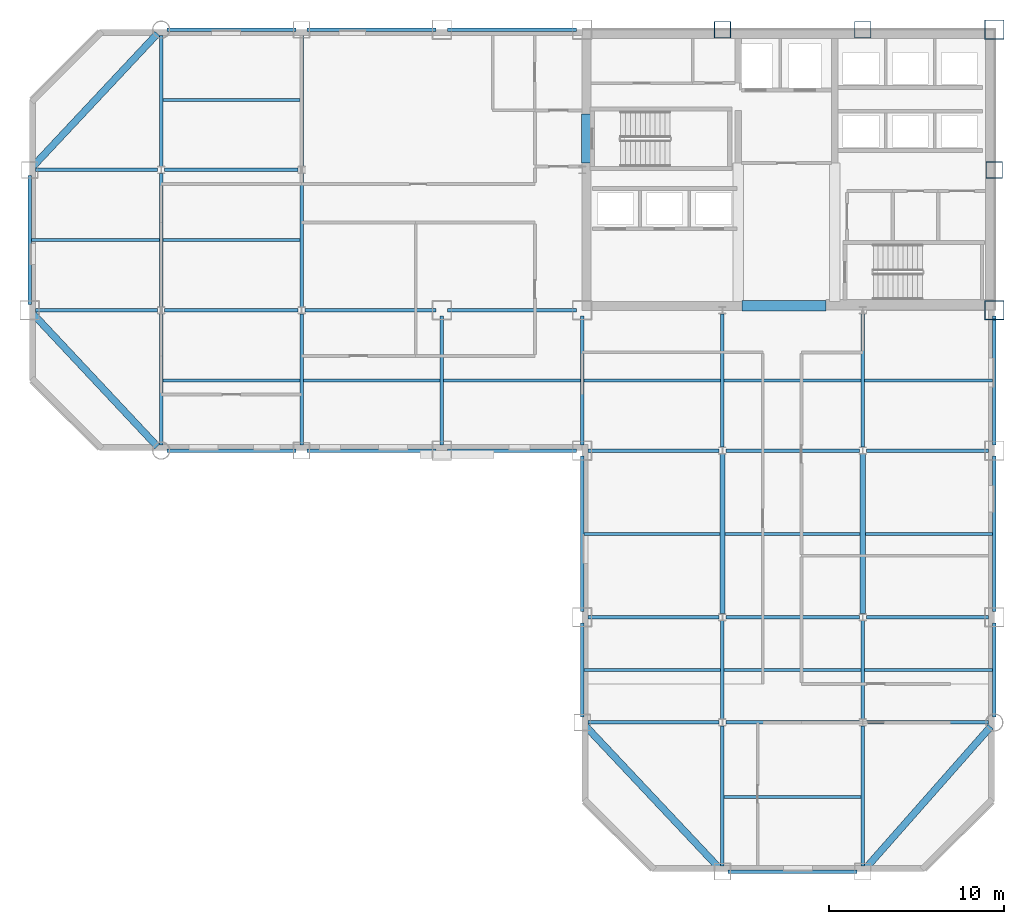
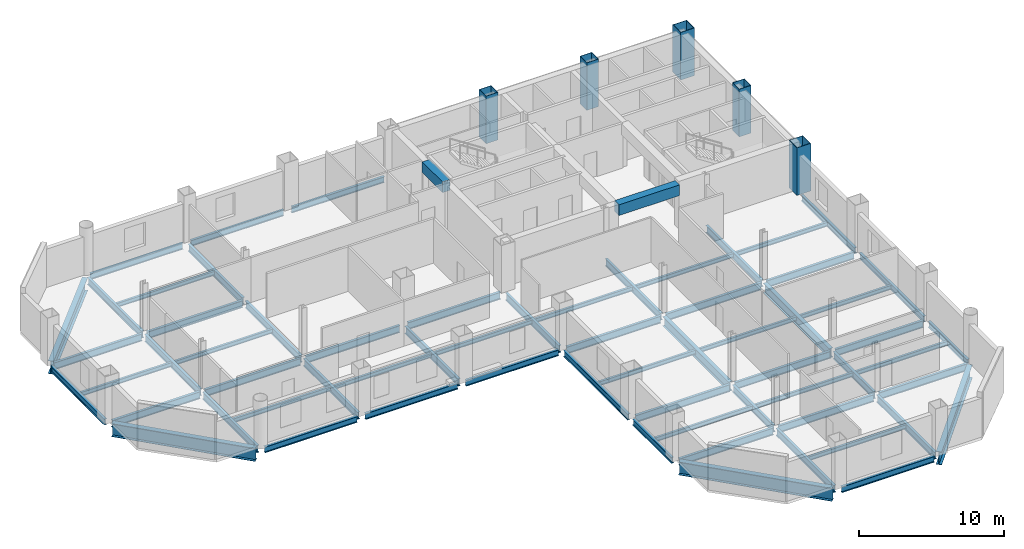
# One storey, part 4 of 9: 66 beams, 5 columns.
"""IFC4 building model written with IfcOpenShell, lengths in metres."""

from ifc_helpers import new_model, si_unit, direction, frame, origin, origin_2d, place, context, subcontext, project, spatial, rectangle, hollow_rectangle, i_section, extrude, material, material_profile, profile_set, type_object, element, save


model = new_model("IFC4")

# Units and contexts
model_context = context("Model", 3, precision=1e-05, world=origin(), true_north=direction((0.0, 1.0)))
body_context = subcontext(model_context, "Body", "Model", "MODEL_VIEW")
ifc_project = project(units=[si_unit("LENGTHUNIT", "METRE"), si_unit("AREAUNIT", "SQUARE_METRE"), si_unit("VOLUMEUNIT", "CUBIC_METRE"), si_unit("PLANEANGLEUNIT", "RADIAN"), si_unit("MASSUNIT", "GRAM", prefix="KILO")], contexts=[model_context])

# Site, building, storey
site_placement = place(None, origin())
site = spatial("IfcSite", under=ifc_project, at=site_placement, CompositionType="ELEMENT")
building_placement = place(site_placement, origin())
building = spatial("IfcBuilding", under=site, at=building_placement, Name="Qianrong Seaharbour Tower", CompositionType="ELEMENT")
storey_placement = place(building_placement, frame((0.0, 0.0, 143.0)))
storey = spatial("IfcBuildingStorey", under=building, at=storey_placement, Name="L34", CompositionType="ELEMENT", Elevation=143.0)

# Columns
ifc_material_1 = material(Name="Structural steel SN490B", Category="steel")
ifc_material_profile_1 = material_profile(ifc_material_1, hollow_rectangle(XDim=1.10009765625, YDim=1.10009765625, WallThickness=0.0400390625, at=origin_2d()), Name="BOX1100x1100x40")
ifc_profile_set_1 = profile_set([ifc_material_profile_1], Name="Structural steel SN490B")
column_type_1 = type_object("IfcColumnType", Name="COL-CFT-1100", PredefinedType="COLUMN", material=ifc_profile_set_1)
for number, where, z_axis, x_axis, name in (
    (1, (64.0, 36.0, 0.0), (0.0, 0.0, 1.0), (1.0, 0.0, 0.0), "L34 Column MC-3 at G9/GF"),
    (2, (64.0, 52.0, 0.0), (0.0, 0.0, 1.0), (1.0, 0.0, 0.0), "L34 Column MC-3 at G9/GH"),
):
    element("IfcColumn", number, at=place(storey_placement, frame(where, z_axis=z_axis, x_axis=x_axis)), inside=storey, type_object=column_type_1, Name=name, PredefinedType="COLUMN", context=body_context, shape_type="SweptSolid", body=[
        extrude(hollow_rectangle(XDim=1.10009765625, YDim=1.10009765625, WallThickness=0.0400390625, at=origin_2d()), origin(), (0.0, 0.0, 1.0), 4.0),
    ])
ifc_material_profile_2 = material_profile(ifc_material_1, hollow_rectangle(XDim=0.949951171875, YDim=0.949951171875, WallThickness=0.035888671875, at=origin_2d()), Name="BOX950x950x36")
ifc_profile_set_2 = profile_set([ifc_material_profile_2], Name="Structural steel SN490B")
column_type_2 = type_object("IfcColumnType", Name="COL-PER-950", PredefinedType="COLUMN", material=ifc_profile_set_2)
for number, where, z_axis, x_axis, name in (
    (3, (48.5, 52.0, 0.0), (0.0, 0.0, 1.0), (1.0, 0.0, 0.0), "L34 Column PC-2 at G7/GH"),
    (4, (56.5, 52.0, 0.0), (0.0, 0.0, 1.0), (1.0, 0.0, 0.0), "L34 Column PC-2 at G8/GH"),
    (5, (64.0, 44.0, 0.0), (0.0, 0.0, 1.0), (1.0, 0.0, 0.0), "L34 Column PC-2 at G9/GG"),
):
    element("IfcColumn", number, at=place(storey_placement, frame(where, z_axis=z_axis, x_axis=x_axis)), inside=storey, type_object=column_type_2, Name=name, PredefinedType="COLUMN", context=body_context, shape_type="SweptSolid", body=[
        extrude(hollow_rectangle(XDim=0.949951171875, YDim=0.949951171875, WallThickness=0.035888671875, at=origin_2d()), origin(), (0.0, 0.0, 1.0), 4.0),
    ])

# Beams
ifc_material_profile_3 = material_profile(ifc_material_1, i_section(OverallWidth=0.199951171875, OverallDepth=0.60009765625, WebThickness=0.010986328125, FlangeThickness=0.01708984375, FilletRadius=0.02197265625, at=origin_2d()), Name="H600x200x11x17")
ifc_profile_set_3 = profile_set([ifc_material_profile_3], Name="Structural steel SN490B")
beam_type_1 = type_object("IfcBeamType", Name="BM-G-600", PredefinedType="BEAM", material=ifc_profile_set_3)
beam_1_placement = place(storey_placement, frame((40.820068359375, 12.5, -0.534912109375), z_axis=(1.0, 0.0, 0.0), x_axis=(0.0, 1.0, 0.0)))
element("IfcBeam", 6, at=beam_1_placement, inside=storey, type_object=beam_type_1, Name="L34 Primary Girder GC G6-G7", PredefinedType="BEAM", context=body_context, shape_type="SweptSolid", body=[
    extrude(i_section(OverallWidth=0.199951171875, OverallDepth=0.60009765625, WebThickness=0.010986328125, FlangeThickness=0.01708984375, FilletRadius=0.02197265625, at=origin_2d()), origin(), (0.0, 0.0, 1.0), 7.47998046875),
])
beam_2_placement = place(storey_placement, frame((48.699951171875, 12.5, -0.534912109375), z_axis=(1.0, 0.0, 0.0), x_axis=(0.0, 1.0, 0.0)))
element("IfcBeam", 7, at=beam_2_placement, inside=storey, type_object=beam_type_1, Name="L34 Primary Girder GC G7-G8", PredefinedType="BEAM", context=body_context, shape_type="SweptSolid", body=[
    extrude(i_section(OverallWidth=0.199951171875, OverallDepth=0.60009765625, WebThickness=0.010986328125, FlangeThickness=0.01708984375, FilletRadius=0.02197265625, at=origin_2d()), origin(), (0.0, 0.0, 1.0), 7.60009765625),
])
beam_3_placement = place(storey_placement, frame((56.699951171875, 12.5, -0.534912109375), z_axis=(1.0, 0.0, 0.0), x_axis=(0.0, 1.0, 0.0)))
element("IfcBeam", 8, at=beam_3_placement, inside=storey, type_object=beam_type_1, Name="L34 Primary Girder GC G8-G9", PredefinedType="BEAM", context=body_context, shape_type="SweptSolid", body=[
    extrude(i_section(OverallWidth=0.199951171875, OverallDepth=0.60009765625, WebThickness=0.010986328125, FlangeThickness=0.01708984375, FilletRadius=0.02197265625, at=origin_2d()), origin(), (0.0, 0.0, 1.0), 6.97998046875),
])
beam_4_placement = place(storey_placement, frame((40.820068359375, 18.5, -0.534912109375), z_axis=(1.0, 0.0, 0.0), x_axis=(0.0, 1.0, 0.0)))
element("IfcBeam", 9, at=beam_4_placement, inside=storey, type_object=beam_type_1, Name="L34 Primary Girder GD G6-G7", PredefinedType="BEAM", context=body_context, shape_type="SweptSolid", body=[
    extrude(i_section(OverallWidth=0.199951171875, OverallDepth=0.60009765625, WebThickness=0.010986328125, FlangeThickness=0.01708984375, FilletRadius=0.02197265625, at=origin_2d()), origin(), (0.0, 0.0, 1.0), 7.47998046875),
])
beam_5_placement = place(storey_placement, frame((48.699951171875, 18.5, -0.534912109375), z_axis=(1.0, 0.0, 0.0), x_axis=(0.0, 1.0, 0.0)))
element("IfcBeam", 10, at=beam_5_placement, inside=storey, type_object=beam_type_1, Name="L34 Primary Girder GD G7-G8", PredefinedType="BEAM", context=body_context, shape_type="SweptSolid", body=[
    extrude(i_section(OverallWidth=0.199951171875, OverallDepth=0.60009765625, WebThickness=0.010986328125, FlangeThickness=0.01708984375, FilletRadius=0.02197265625, at=origin_2d()), origin(), (0.0, 0.0, 1.0), 7.60009765625),
])
beam_6_placement = place(storey_placement, frame((56.699951171875, 18.5, -0.534912109375), z_axis=(1.0, 0.0, 0.0), x_axis=(0.0, 1.0, 0.0)))
element("IfcBeam", 11, at=beam_6_placement, inside=storey, type_object=beam_type_1, Name="L34 Primary Girder GD G8-G9", PredefinedType="BEAM", context=body_context, shape_type="SweptSolid", body=[
    extrude(i_section(OverallWidth=0.199951171875, OverallDepth=0.60009765625, WebThickness=0.010986328125, FlangeThickness=0.01708984375, FilletRadius=0.02197265625, at=origin_2d()), origin(), (0.0, 0.0, 1.0), 6.97998046875),
])
beam_7_placement = place(storey_placement, frame((40.820068359375, 28.0, -0.534912109375), z_axis=(1.0, 0.0, 0.0), x_axis=(0.0, 1.0, 0.0)))
element("IfcBeam", 12, at=beam_7_placement, inside=storey, type_object=beam_type_1, Name="L34 Primary Girder GE G6-G7", PredefinedType="BEAM", context=body_context, shape_type="SweptSolid", body=[
    extrude(i_section(OverallWidth=0.199951171875, OverallDepth=0.60009765625, WebThickness=0.010986328125, FlangeThickness=0.01708984375, FilletRadius=0.02197265625, at=origin_2d()), origin(), (0.0, 0.0, 1.0), 7.47998046875),
])
beam_8_placement = place(storey_placement, frame((48.699951171875, 28.0, -0.534912109375), z_axis=(1.0, 0.0, 0.0), x_axis=(0.0, 1.0, 0.0)))
element("IfcBeam", 13, at=beam_8_placement, inside=storey, type_object=beam_type_1, Name="L34 Primary Girder GE G7-G8", PredefinedType="BEAM", context=body_context, shape_type="SweptSolid", body=[
    extrude(i_section(OverallWidth=0.199951171875, OverallDepth=0.60009765625, WebThickness=0.010986328125, FlangeThickness=0.01708984375, FilletRadius=0.02197265625, at=origin_2d()), origin(), (0.0, 0.0, 1.0), 7.60009765625),
])
for number, where, z_axis, x_axis, name in (
    (14, (56.699951171875, 28.0, -0.534912109375), (1.0, 0.0, 0.0), (0.0, 1.0, 0.0), "L34 Primary Girder GE G8-G9"),
    (15, (9.320068359375, 36.0, -0.534912109375), (1.0, 0.0, 0.0), (0.0, 1.0, 0.0), "L34 Primary Girder GF G2-G3"),
):
    element("IfcBeam", number, at=place(storey_placement, frame(where, z_axis=z_axis, x_axis=x_axis)), inside=storey, type_object=beam_type_1, Name=name, PredefinedType="BEAM", context=body_context, shape_type="SweptSolid", body=[
        extrude(i_section(OverallWidth=0.199951171875, OverallDepth=0.60009765625, WebThickness=0.010986328125, FlangeThickness=0.01708984375, FilletRadius=0.02197265625, at=origin_2d()), origin(), (0.0, 0.0, 1.0), 6.97998046875),
    ])
beam_9_placement = place(storey_placement, frame((16.699951171875, 36.0, -0.534912109375), z_axis=(1.0, 0.0, 0.0), x_axis=(0.0, 1.0, 0.0)))
element("IfcBeam", 16, at=beam_9_placement, inside=storey, type_object=beam_type_1, Name="L34 Primary Girder GF G3-G4", PredefinedType="BEAM", context=body_context, shape_type="SweptSolid", body=[
    extrude(i_section(OverallWidth=0.199951171875, OverallDepth=0.60009765625, WebThickness=0.010986328125, FlangeThickness=0.01708984375, FilletRadius=0.02197265625, at=origin_2d()), origin(), (0.0, 0.0, 1.0), 7.60009765625),
])
beam_10_placement = place(storey_placement, frame((24.699951171875, 36.0, -0.534912109375), z_axis=(1.0, 0.0, 0.0), x_axis=(0.0, 1.0, 0.0)))
element("IfcBeam", 17, at=beam_10_placement, inside=storey, type_object=beam_type_1, Name="L34 Primary Girder GF G4-G5", PredefinedType="BEAM", context=body_context, shape_type="SweptSolid", body=[
    extrude(i_section(OverallWidth=0.199951171875, OverallDepth=0.60009765625, WebThickness=0.010986328125, FlangeThickness=0.01708984375, FilletRadius=0.02197265625, at=origin_2d()), origin(), (0.0, 0.0, 1.0), 7.47998046875),
])
beam_11_placement = place(storey_placement, frame((32.820068359375, 36.0, -0.534912109375), z_axis=(1.0, 0.0, 0.0), x_axis=(0.0, 1.0, 0.0)))
element("IfcBeam", 18, at=beam_11_placement, inside=storey, type_object=beam_type_1, Name="L34 Primary Girder GF G5-G6", PredefinedType="BEAM", context=body_context, shape_type="SweptSolid", body=[
    extrude(i_section(OverallWidth=0.199951171875, OverallDepth=0.60009765625, WebThickness=0.010986328125, FlangeThickness=0.01708984375, FilletRadius=0.02197265625, at=origin_2d()), origin(), (0.0, 0.0, 1.0), 7.35986328125),
])
beam_12_placement = place(storey_placement, frame((9.320068359375, 44.0, -0.534912109375), z_axis=(1.0, 0.0, 0.0), x_axis=(0.0, 1.0, 0.0)))
element("IfcBeam", 19, at=beam_12_placement, inside=storey, type_object=beam_type_1, Name="L34 Primary Girder GG G2-G3", PredefinedType="BEAM", context=body_context, shape_type="SweptSolid", body=[
    extrude(i_section(OverallWidth=0.199951171875, OverallDepth=0.60009765625, WebThickness=0.010986328125, FlangeThickness=0.01708984375, FilletRadius=0.02197265625, at=origin_2d()), origin(), (0.0, 0.0, 1.0), 6.97998046875),
])
beam_13_placement = place(storey_placement, frame((16.699951171875, 44.0, -0.534912109375), z_axis=(1.0, 0.0, 0.0), x_axis=(0.0, 1.0, 0.0)))
element("IfcBeam", 20, at=beam_13_placement, inside=storey, type_object=beam_type_1, Name="L34 Primary Girder GG G3-G4", PredefinedType="BEAM", context=body_context, shape_type="SweptSolid", body=[
    extrude(i_section(OverallWidth=0.199951171875, OverallDepth=0.60009765625, WebThickness=0.010986328125, FlangeThickness=0.01708984375, FilletRadius=0.02197265625, at=origin_2d()), origin(), (0.0, 0.0, 1.0), 7.60009765625),
])
beam_14_placement = place(storey_placement, frame((16.5, 28.320068359375, -0.534912109375), z_axis=(0.0, 1.0, 0.0), x_axis=(-1.0, 0.0, 0.0)))
element("IfcBeam", 21, at=beam_14_placement, inside=storey, type_object=beam_type_1, Name="L34 Primary Girder G3 GE-GF", PredefinedType="BEAM", context=body_context, shape_type="SweptSolid", body=[
    extrude(i_section(OverallWidth=0.199951171875, OverallDepth=0.60009765625, WebThickness=0.010986328125, FlangeThickness=0.01708984375, FilletRadius=0.02197265625, at=origin_2d()), origin(), (0.0, 0.0, 1.0), 7.47998046875),
])
beam_15_placement = place(storey_placement, frame((16.5, 36.199951171875, -0.534912109375), z_axis=(0.0, 1.0, 0.0), x_axis=(-1.0, 0.0, 0.0)))
element("IfcBeam", 22, at=beam_15_placement, inside=storey, type_object=beam_type_1, Name="L34 Primary Girder G3 GF-GG", PredefinedType="BEAM", context=body_context, shape_type="SweptSolid", body=[
    extrude(i_section(OverallWidth=0.199951171875, OverallDepth=0.60009765625, WebThickness=0.010986328125, FlangeThickness=0.01708984375, FilletRadius=0.02197265625, at=origin_2d()), origin(), (0.0, 0.0, 1.0), 7.60009765625),
])
for number, where, z_axis, x_axis, name in (
    (23, (16.5, 44.199951171875, -0.534912109375), (0.0, 1.0, 0.0), (-1.0, 0.0, 0.0), "L34 Primary Girder G3 GG-GH"),
    (24, (24.5, 28.320068359375, -0.534912109375), (0.0, 1.0, 0.0), (-1.0, 0.0, 0.0), "L34 Primary Girder G4 GE-GF"),
):
    element("IfcBeam", number, at=place(storey_placement, frame(where, z_axis=z_axis, x_axis=x_axis)), inside=storey, type_object=beam_type_1, Name=name, PredefinedType="BEAM", context=body_context, shape_type="SweptSolid", body=[
        extrude(i_section(OverallWidth=0.199951171875, OverallDepth=0.60009765625, WebThickness=0.010986328125, FlangeThickness=0.01708984375, FilletRadius=0.02197265625, at=origin_2d()), origin(), (0.0, 0.0, 1.0), 7.47998046875),
    ])
beam_16_placement = place(storey_placement, frame((24.5, 36.199951171875, -0.534912109375), z_axis=(0.0, 1.0, 0.0), x_axis=(-1.0, 0.0, 0.0)))
element("IfcBeam", 25, at=beam_16_placement, inside=storey, type_object=beam_type_1, Name="L34 Primary Girder G4 GF-GG", PredefinedType="BEAM", context=body_context, shape_type="SweptSolid", body=[
    extrude(i_section(OverallWidth=0.199951171875, OverallDepth=0.60009765625, WebThickness=0.010986328125, FlangeThickness=0.01708984375, FilletRadius=0.02197265625, at=origin_2d()), origin(), (0.0, 0.0, 1.0), 7.60009765625),
])
beam_17_placement = place(storey_placement, frame((24.5, 44.199951171875, -0.534912109375), z_axis=(0.0, 1.0, 0.0), x_axis=(-1.0, 0.0, 0.0)))
element("IfcBeam", 26, at=beam_17_placement, inside=storey, type_object=beam_type_1, Name="L34 Primary Girder G4 GG-GH", PredefinedType="BEAM", context=body_context, shape_type="SweptSolid", body=[
    extrude(i_section(OverallWidth=0.199951171875, OverallDepth=0.60009765625, WebThickness=0.010986328125, FlangeThickness=0.01708984375, FilletRadius=0.02197265625, at=origin_2d()), origin(), (0.0, 0.0, 1.0), 7.47998046875),
])
for number, where, z_axis, x_axis, name in (
    (27, (32.5, 28.320068359375, -0.534912109375), (0.0, 1.0, 0.0), (-1.0, 0.0, 0.0), "L34 Primary Girder G5 GE-GF"),
    (28, (40.5, 28.320068359375, -0.534912109375), (0.0, 1.0, 0.0), (-1.0, 0.0, 0.0), "L34 Primary Girder G6 GE-GF"),
):
    element("IfcBeam", number, at=place(storey_placement, frame(where, z_axis=z_axis, x_axis=x_axis)), inside=storey, type_object=beam_type_1, Name=name, PredefinedType="BEAM", context=body_context, shape_type="SweptSolid", body=[
        extrude(i_section(OverallWidth=0.199951171875, OverallDepth=0.60009765625, WebThickness=0.010986328125, FlangeThickness=0.01708984375, FilletRadius=0.02197265625, at=origin_2d()), origin(), (0.0, 0.0, 1.0), 7.35986328125),
    ])
beam_18_placement = place(storey_placement, frame((48.5, 4.320068359375, -0.534912109375), z_axis=(0.0, 1.0, 0.0), x_axis=(-1.0, 0.0, 0.0)))
element("IfcBeam", 29, at=beam_18_placement, inside=storey, type_object=beam_type_1, Name="L34 Primary Girder G7 GB-GC", PredefinedType="BEAM", context=body_context, shape_type="SweptSolid", body=[
    extrude(i_section(OverallWidth=0.199951171875, OverallDepth=0.60009765625, WebThickness=0.010986328125, FlangeThickness=0.01708984375, FilletRadius=0.02197265625, at=origin_2d()), origin(), (0.0, 0.0, 1.0), 7.97998046875),
])
beam_19_placement = place(storey_placement, frame((48.5, 12.699951171875, -0.534912109375), z_axis=(0.0, 1.0, 0.0), x_axis=(-1.0, 0.0, 0.0)))
element("IfcBeam", 30, at=beam_19_placement, inside=storey, type_object=beam_type_1, Name="L34 Primary Girder G7 GC-GD", PredefinedType="BEAM", context=body_context, shape_type="SweptSolid", body=[
    extrude(i_section(OverallWidth=0.199951171875, OverallDepth=0.60009765625, WebThickness=0.010986328125, FlangeThickness=0.01708984375, FilletRadius=0.02197265625, at=origin_2d()), origin(), (0.0, 0.0, 1.0), 5.60009765625),
])
beam_20_placement = place(storey_placement, frame((48.5, 28.199951171875, -0.534912109375), z_axis=(0.0, 1.0, 0.0), x_axis=(-1.0, 0.0, 0.0)))
element("IfcBeam", 31, at=beam_20_placement, inside=storey, type_object=beam_type_1, Name="L34 Primary Girder G7 GE-GF", PredefinedType="BEAM", context=body_context, shape_type="SweptSolid", body=[
    extrude(i_section(OverallWidth=0.199951171875, OverallDepth=0.60009765625, WebThickness=0.010986328125, FlangeThickness=0.01708984375, FilletRadius=0.02197265625, at=origin_2d()), origin(), (0.0, 0.0, 1.0), 7.60009765625),
])
beam_21_placement = place(storey_placement, frame((56.5, 4.320068359375, -0.534912109375), z_axis=(0.0, 1.0, 0.0), x_axis=(-1.0, 0.0, 0.0)))
element("IfcBeam", 32, at=beam_21_placement, inside=storey, type_object=beam_type_1, Name="L34 Primary Girder G8 GB-GC", PredefinedType="BEAM", context=body_context, shape_type="SweptSolid", body=[
    extrude(i_section(OverallWidth=0.199951171875, OverallDepth=0.60009765625, WebThickness=0.010986328125, FlangeThickness=0.01708984375, FilletRadius=0.02197265625, at=origin_2d()), origin(), (0.0, 0.0, 1.0), 7.97998046875),
])
beam_22_placement = place(storey_placement, frame((56.5, 12.699951171875, -0.534912109375), z_axis=(0.0, 1.0, 0.0), x_axis=(-1.0, 0.0, 0.0)))
element("IfcBeam", 33, at=beam_22_placement, inside=storey, type_object=beam_type_1, Name="L34 Primary Girder G8 GC-GD", PredefinedType="BEAM", context=body_context, shape_type="SweptSolid", body=[
    extrude(i_section(OverallWidth=0.199951171875, OverallDepth=0.60009765625, WebThickness=0.010986328125, FlangeThickness=0.01708984375, FilletRadius=0.02197265625, at=origin_2d()), origin(), (0.0, 0.0, 1.0), 5.60009765625),
])
beam_23_placement = place(storey_placement, frame((56.5, 28.199951171875, -0.534912109375), z_axis=(0.0, 1.0, 0.0), x_axis=(-1.0, 0.0, 0.0)))
element("IfcBeam", 34, at=beam_23_placement, inside=storey, type_object=beam_type_1, Name="L34 Primary Girder G8 GE-GF", PredefinedType="BEAM", context=body_context, shape_type="SweptSolid", body=[
    extrude(i_section(OverallWidth=0.199951171875, OverallDepth=0.60009765625, WebThickness=0.010986328125, FlangeThickness=0.01708984375, FilletRadius=0.02197265625, at=origin_2d()), origin(), (0.0, 0.0, 1.0), 7.60009765625),
])
ifc_material_profile_4 = material_profile(ifc_material_1, i_section(OverallWidth=0.300048828125, OverallDepth=0.800048828125, WebThickness=0.013916015625, FlangeThickness=0.02587890625, FilletRadius=0.028076171875, at=origin_2d()), Name="H800x300x14x26")
ifc_profile_set_4 = profile_set([ifc_material_profile_4], Name="Structural steel SN490B")
beam_type_2 = type_object("IfcBeamType", Name="BM-G-800", PredefinedType="BEAM", material=ifc_profile_set_4)
for number, where, z_axis, x_axis, name in (
    (35, (48.5, 18.699951171875, -0.635009765625), (0.0, 1.0, 0.0), (-1.0, 0.0, 0.0), "L34 Primary Girder G7 GD-GE"),
    (36, (56.5, 18.699951171875, -0.635009765625), (0.0, 1.0, 0.0), (-1.0, 0.0, 0.0), "L34 Primary Girder G8 GD-GE"),
):
    element("IfcBeam", number, at=place(storey_placement, frame(where, z_axis=z_axis, x_axis=x_axis)), inside=storey, type_object=beam_type_2, Name=name, PredefinedType="BEAM", context=body_context, shape_type="SweptSolid", body=[
        extrude(i_section(OverallWidth=0.300048828125, OverallDepth=0.800048828125, WebThickness=0.013916015625, FlangeThickness=0.02587890625, FilletRadius=0.028076171875, at=origin_2d()), origin(), (0.0, 0.0, 1.0), 9.10009765625),
    ])
ifc_material_2 = material(Name="Structural steel SN400B", Category="steel")
ifc_material_profile_5 = material_profile(ifc_material_2, i_section(OverallWidth=0.175048828125, OverallDepth=0.35009765625, WebThickness=0.007080078125, FlangeThickness=0.010986328125, FilletRadius=0.013916015625, at=origin_2d()), Name="H350x175x7x11")
ifc_profile_set_5 = profile_set([ifc_material_profile_5], Name="Structural steel SN400B")
beam_type_3 = type_object("IfcBeamType", Name="BM-J-350", PredefinedType="JOIST", material=ifc_profile_set_5)
beam_24_placement = place(storey_placement, frame((9.10009765625, 40.0, -0.409912109375), z_axis=(1.0, 0.0, 0.0), x_axis=(0.0, 1.0, 0.0)))
element("IfcBeam", 37, at=beam_24_placement, inside=storey, type_object=beam_type_3, Name="L34 Composite Floor Joist G2-G3/GF-GG", PredefinedType="JOIST", context=body_context, shape_type="SweptSolid", body=[
    extrude(i_section(OverallWidth=0.175048828125, OverallDepth=0.35009765625, WebThickness=0.007080078125, FlangeThickness=0.010986328125, FilletRadius=0.013916015625, at=origin_2d()), origin(), (0.0, 0.0, 1.0), 7.2998046875),
])
for number, where, z_axis, x_axis, name in (
    (38, (16.60009765625, 32.0, -0.409912109375), (1.0, 0.0, 0.0), (0.0, 1.0, 0.0), "L34 Composite Floor Joist G3-G4/GE-GF"),
    (39, (16.60009765625, 40.0, -0.409912109375), (1.0, 0.0, 0.0), (0.0, 1.0, 0.0), "L34 Composite Floor Joist G3-G4/GF-GG"),
    (40, (16.60009765625, 48.0, -0.409912109375), (1.0, 0.0, 0.0), (0.0, 1.0, 0.0), "L34 Composite Floor Joist G3-G4/GG-GH"),
    (41, (24.60009765625, 32.0, -0.409912109375), (1.0, 0.0, 0.0), (0.0, 1.0, 0.0), "L34 Composite Floor Joist G4-G5/GE-GF"),
    (42, (32.60009765625, 32.0, -0.409912109375), (1.0, 0.0, 0.0), (0.0, 1.0, 0.0), "L34 Composite Floor Joist G5-G6/GE-GF"),
    (43, (40.60009765625, 15.5, -0.409912109375), (1.0, 0.0, 0.0), (0.0, 1.0, 0.0), "L34 Composite Floor Joist G6-G7/GC-GD"),
):
    element("IfcBeam", number, at=place(storey_placement, frame(where, z_axis=z_axis, x_axis=x_axis)), inside=storey, type_object=beam_type_3, Name=name, PredefinedType="JOIST", context=body_context, shape_type="SweptSolid", body=[
        extrude(i_section(OverallWidth=0.175048828125, OverallDepth=0.35009765625, WebThickness=0.007080078125, FlangeThickness=0.010986328125, FilletRadius=0.013916015625, at=origin_2d()), origin(), (0.0, 0.0, 1.0), 7.7998046875),
    ])
beam_25_placement = place(storey_placement, frame((40.60009765625, 23.25, -0.409912109375), z_axis=(1.0, 0.0, 0.0), x_axis=(0.0, 1.0, 0.0)))
element("IfcBeam", 44, at=beam_25_placement, inside=storey, type_object=beam_type_3, Name="L34 Composite Floor Joist G6-G7/GD-GE", PredefinedType="JOIST", context=body_context, shape_type="SweptSolid", body=[
    extrude(i_section(OverallWidth=0.175048828125, OverallDepth=0.35009765625, WebThickness=0.007080078125, FlangeThickness=0.010986328125, FilletRadius=0.013916015625, at=origin_2d()), origin(), (0.0, 0.0, 1.0), 7.75),
])
for number, where, z_axis, x_axis, name in (
    (45, (40.60009765625, 32.0, -0.409912109375), (1.0, 0.0, 0.0), (0.0, 1.0, 0.0), "L34 Composite Floor Joist G6-G7/GE-GF"),
    (46, (48.60009765625, 8.25, -0.409912109375), (1.0, 0.0, 0.0), (0.0, 1.0, 0.0), "L34 Composite Floor Joist G7-G8/GB-GC"),
    (47, (48.60009765625, 15.5, -0.409912109375), (1.0, 0.0, 0.0), (0.0, 1.0, 0.0), "L34 Composite Floor Joist G7-G8/GC-GD"),
):
    element("IfcBeam", number, at=place(storey_placement, frame(where, z_axis=z_axis, x_axis=x_axis)), inside=storey, type_object=beam_type_3, Name=name, PredefinedType="JOIST", context=body_context, shape_type="SweptSolid", body=[
        extrude(i_section(OverallWidth=0.175048828125, OverallDepth=0.35009765625, WebThickness=0.007080078125, FlangeThickness=0.010986328125, FilletRadius=0.013916015625, at=origin_2d()), origin(), (0.0, 0.0, 1.0), 7.7998046875),
    ])
beam_26_placement = place(storey_placement, frame((48.64990234375, 23.25, -0.409912109375), z_axis=(1.0, 0.0, 0.0), x_axis=(0.0, 1.0, 0.0)))
element("IfcBeam", 48, at=beam_26_placement, inside=storey, type_object=beam_type_3, Name="L34 Composite Floor Joist G7-G8/GD-GE", PredefinedType="JOIST", context=body_context, shape_type="SweptSolid", body=[
    extrude(i_section(OverallWidth=0.175048828125, OverallDepth=0.35009765625, WebThickness=0.007080078125, FlangeThickness=0.010986328125, FilletRadius=0.013916015625, at=origin_2d()), origin(), (0.0, 0.0, 1.0), 7.7001953125),
])
beam_27_placement = place(storey_placement, frame((48.60009765625, 32.0, -0.409912109375), z_axis=(1.0, 0.0, 0.0), x_axis=(0.0, 1.0, 0.0)))
element("IfcBeam", 49, at=beam_27_placement, inside=storey, type_object=beam_type_3, Name="L34 Composite Floor Joist G7-G8/GE-GF", PredefinedType="JOIST", context=body_context, shape_type="SweptSolid", body=[
    extrude(i_section(OverallWidth=0.175048828125, OverallDepth=0.35009765625, WebThickness=0.007080078125, FlangeThickness=0.010986328125, FilletRadius=0.013916015625, at=origin_2d()), origin(), (0.0, 0.0, 1.0), 7.7998046875),
])
beam_28_placement = place(storey_placement, frame((56.60009765625, 15.5, -0.409912109375), z_axis=(1.0, 0.0, 0.0), x_axis=(0.0, 1.0, 0.0)))
element("IfcBeam", 50, at=beam_28_placement, inside=storey, type_object=beam_type_3, Name="L34 Composite Floor Joist G8-G9/GC-GD", PredefinedType="JOIST", context=body_context, shape_type="SweptSolid", body=[
    extrude(i_section(OverallWidth=0.175048828125, OverallDepth=0.35009765625, WebThickness=0.007080078125, FlangeThickness=0.010986328125, FilletRadius=0.013916015625, at=origin_2d()), origin(), (0.0, 0.0, 1.0), 7.2998046875),
])
beam_29_placement = place(storey_placement, frame((56.64990234375, 23.25, -0.409912109375), z_axis=(1.0, 0.0, 0.0), x_axis=(0.0, 1.0, 0.0)))
element("IfcBeam", 51, at=beam_29_placement, inside=storey, type_object=beam_type_3, Name="L34 Composite Floor Joist G8-G9/GD-GE", PredefinedType="JOIST", context=body_context, shape_type="SweptSolid", body=[
    extrude(i_section(OverallWidth=0.175048828125, OverallDepth=0.35009765625, WebThickness=0.007080078125, FlangeThickness=0.010986328125, FilletRadius=0.013916015625, at=origin_2d()), origin(), (0.0, 0.0, 1.0), 7.25),
])
beam_30_placement = place(storey_placement, frame((56.60009765625, 32.0, -0.409912109375), z_axis=(1.0, 0.0, 0.0), x_axis=(0.0, 1.0, 0.0)))
element("IfcBeam", 52, at=beam_30_placement, inside=storey, type_object=beam_type_3, Name="L34 Composite Floor Joist G8-G9/GE-GF", PredefinedType="JOIST", context=body_context, shape_type="SweptSolid", body=[
    extrude(i_section(OverallWidth=0.175048828125, OverallDepth=0.35009765625, WebThickness=0.007080078125, FlangeThickness=0.010986328125, FilletRadius=0.013916015625, at=origin_2d()), origin(), (0.0, 0.0, 1.0), 7.2998046875),
])
ifc_material_3 = material(Name="Concrete C70/85", Category="concrete")
ifc_material_profile_6 = material_profile(ifc_material_3, rectangle(XDim=0.60009765625, YDim=0.89990234375, at=origin_2d()), Name="RC600x900")
ifc_profile_set_6 = profile_set([ifc_material_profile_6], Name="Concrete C70/85")
beam_type_4 = type_object("IfcBeamType", Name="BM-LINTEL-900", PredefinedType="LINTEL", material=ifc_profile_set_6)
beam_31_placement = place(storey_placement, frame((40.75, 44.39990234375, 3.31494140625), z_axis=(0.0, 1.0, 0.0), x_axis=(-1.0, 0.0, 0.0)))
element("IfcBeam", 53, at=beam_31_placement, inside=storey, type_object=beam_type_4, Name="L34 Core Coupling Lintel Beam West", PredefinedType="LINTEL", context=body_context, shape_type="SweptSolid", body=[
    extrude(rectangle(XDim=0.60009765625, YDim=0.89990234375, at=origin_2d()), origin(), (0.0, 0.0, 1.0), 2.800048828125),
])
beam_32_placement = place(storey_placement, frame((49.60009765625, 36.25, 3.31494140625), z_axis=(1.0, 0.0, 0.0), x_axis=(0.0, 1.0, 0.0)))
element("IfcBeam", 54, at=beam_32_placement, inside=storey, type_object=beam_type_4, Name="L34 Core Coupling Lintel Beam CBC", PredefinedType="LINTEL", context=body_context, shape_type="SweptSolid", body=[
    extrude(rectangle(XDim=0.60009765625, YDim=0.89990234375, at=origin_2d()), origin(), (0.0, 0.0, 1.0), 4.7998046875),
])
ifc_material_profile_7 = material_profile(ifc_material_1, i_section(OverallWidth=0.199951171875, OverallDepth=0.5, WebThickness=0.010009765625, FlangeThickness=0.01611328125, FilletRadius=0.02001953125, at=origin_2d()), Name="H500x200x10x16")
ifc_profile_set_7 = profile_set([ifc_material_profile_7], Name="Structural steel SN490B")
beam_type_5 = type_object("IfcBeamType", Name="BM-SP-500", PredefinedType="SPANDREL", material=ifc_profile_set_7)
for number, where, z_axis, x_axis, name in (
    (55, (48.820068359375, 4.0, -0.485107421875), (1.0, 0.0, 0.0), (0.0, 1.0, 0.0), "L34 Spandrel Girder GB G7-G8"),
    (56, (16.820068359375, 28.0, -0.485107421875), (1.0, 0.0, 0.0), (0.0, 1.0, 0.0), "L34 Spandrel Girder GE G3-G4"),
    (57, (24.820068359375, 28.0, -0.485107421875), (1.0, 0.0, 0.0), (0.0, 1.0, 0.0), "L34 Spandrel Girder GE G4-G5"),
    (58, (32.820068359375, 28.0, -0.485107421875), (1.0, 0.0, 0.0), (0.0, 1.0, 0.0), "L34 Spandrel Girder GE G5-G6"),
    (59, (16.820068359375, 52.0, -0.485107421875), (1.0, 0.0, 0.0), (0.0, 1.0, 0.0), "L34 Spandrel Girder GH G3-G4"),
    (60, (24.820068359375, 52.0, -0.485107421875), (1.0, 0.0, 0.0), (0.0, 1.0, 0.0), "L34 Spandrel Girder GH G4-G5"),
    (61, (32.820068359375, 52.0, -0.485107421875), (1.0, 0.0, 0.0), (0.0, 1.0, 0.0), "L34 Spandrel Girder GH G5-G6"),
    (62, (9.0, 36.320068359375, -0.485107421875), (0.0, 1.0, 0.0), (-1.0, 0.0, 0.0), "L34 Spandrel Girder G2 GF-GG"),
):
    element("IfcBeam", number, at=place(storey_placement, frame(where, z_axis=z_axis, x_axis=x_axis)), inside=storey, type_object=beam_type_5, Name=name, PredefinedType="SPANDREL", context=body_context, shape_type="SweptSolid", body=[
        extrude(i_section(OverallWidth=0.199951171875, OverallDepth=0.5, WebThickness=0.010009765625, FlangeThickness=0.01611328125, FilletRadius=0.02001953125, at=origin_2d()), origin(), (0.0, 0.0, 1.0), 7.35986328125),
    ])
beam_33_placement = place(storey_placement, frame((40.5, 12.820068359375, -0.485107421875), z_axis=(0.0, 1.0, 0.0), x_axis=(-1.0, 0.0, 0.0)))
element("IfcBeam", 63, at=beam_33_placement, inside=storey, type_object=beam_type_5, Name="L34 Spandrel Girder G6 GC-GD", PredefinedType="SPANDREL", context=body_context, shape_type="SweptSolid", body=[
    extrude(i_section(OverallWidth=0.199951171875, OverallDepth=0.5, WebThickness=0.010009765625, FlangeThickness=0.01611328125, FilletRadius=0.02001953125, at=origin_2d()), origin(), (0.0, 0.0, 1.0), 5.35986328125),
])
beam_34_placement = place(storey_placement, frame((40.5, 18.820068359375, -0.485107421875), z_axis=(0.0, 1.0, 0.0), x_axis=(-1.0, 0.0, 0.0)))
element("IfcBeam", 64, at=beam_34_placement, inside=storey, type_object=beam_type_5, Name="L34 Spandrel Girder G6 GD-GE", PredefinedType="SPANDREL", context=body_context, shape_type="SweptSolid", body=[
    extrude(i_section(OverallWidth=0.199951171875, OverallDepth=0.5, WebThickness=0.010009765625, FlangeThickness=0.01611328125, FilletRadius=0.02001953125, at=origin_2d()), origin(), (0.0, 0.0, 1.0), 8.85986328125),
])
beam_35_placement = place(storey_placement, frame((64.0, 12.820068359375, -0.485107421875), z_axis=(0.0, 1.0, 0.0), x_axis=(-1.0, 0.0, 0.0)))
element("IfcBeam", 65, at=beam_35_placement, inside=storey, type_object=beam_type_5, Name="L34 Spandrel Girder G9 GC-GD", PredefinedType="SPANDREL", context=body_context, shape_type="SweptSolid", body=[
    extrude(i_section(OverallWidth=0.199951171875, OverallDepth=0.5, WebThickness=0.010009765625, FlangeThickness=0.01611328125, FilletRadius=0.02001953125, at=origin_2d()), origin(), (0.0, 0.0, 1.0), 5.35986328125),
])
beam_36_placement = place(storey_placement, frame((64.0, 18.820068359375, -0.485107421875), z_axis=(0.0, 1.0, 0.0), x_axis=(-1.0, 0.0, 0.0)))
element("IfcBeam", 66, at=beam_36_placement, inside=storey, type_object=beam_type_5, Name="L34 Spandrel Girder G9 GD-GE", PredefinedType="SPANDREL", context=body_context, shape_type="SweptSolid", body=[
    extrude(i_section(OverallWidth=0.199951171875, OverallDepth=0.5, WebThickness=0.010009765625, FlangeThickness=0.01611328125, FilletRadius=0.02001953125, at=origin_2d()), origin(), (0.0, 0.0, 1.0), 8.85986328125),
])
beam_37_placement = place(storey_placement, frame((64.0, 28.320068359375, -0.485107421875), z_axis=(0.0, 1.0, 0.0), x_axis=(-1.0, 0.0, 0.0)))
element("IfcBeam", 67, at=beam_37_placement, inside=storey, type_object=beam_type_5, Name="L34 Spandrel Girder G9 GE-GF", PredefinedType="SPANDREL", context=body_context, shape_type="SweptSolid", body=[
    extrude(i_section(OverallWidth=0.199951171875, OverallDepth=0.5, WebThickness=0.010009765625, FlangeThickness=0.01611328125, FilletRadius=0.02001953125, at=origin_2d()), origin(), (0.0, 0.0, 1.0), 7.35986328125),
])
ifc_material_profile_8 = material_profile(ifc_material_1, i_section(OverallWidth=0.39990234375, OverallDepth=1.10009765625, WebThickness=0.02001953125, FlangeThickness=0.035888671875, at=origin_2d()), Name="BH1100x400x20x36")
ifc_profile_set_8 = profile_set([ifc_material_profile_8], Name="Structural steel SN490B")
beam_type_6 = type_object("IfcBeamType", Name="BM-TG-1100", PredefinedType="BEAM", material=ifc_profile_set_8)
for number, where, z_axis, x_axis, name in (
    (68, (16.28125, 28.2333984375, -0.784912109375), (-0.683947420573, 0.729531305628, 0.0), (-0.729531305628, -0.683947420573, 0.0), "L34 Chamfer Corner Spandrel Girder G2/GE"),
    (69, (16.28125, 51.7666015625, -0.784912109375), (-0.683947420573, -0.729531305628, 0.0), (0.729531305628, -0.683947420573, 0.0), "L34 Chamfer Corner Spandrel Girder G2/GH"),
):
    element("IfcBeam", number, at=place(storey_placement, frame(where, z_axis=z_axis, x_axis=x_axis)), inside=storey, type_object=beam_type_6, Name=name, PredefinedType="BEAM", context=body_context, shape_type="SweptSolid", body=[
        extrude(i_section(OverallWidth=0.39990234375, OverallDepth=1.10009765625, WebThickness=0.02001953125, FlangeThickness=0.035888671875, at=origin_2d()), origin(), (0.0, 0.0, 1.0), 10.326171875),
    ])
beam_38_placement = place(storey_placement, frame((48.28076171875, 4.23291015625, -0.784912109375), z_axis=(-0.685361938021, 0.728202591256, 0.0), x_axis=(-0.728202591256, -0.685361938021, 0.0)))
element("IfcBeam", 70, at=beam_38_placement, inside=storey, type_object=beam_type_6, Name="L34 Chamfer Corner Spandrel Girder G6/GB", PredefinedType="BEAM", context=body_context, shape_type="SweptSolid", body=[
    extrude(i_section(OverallWidth=0.39990234375, OverallDepth=1.10009765625, WebThickness=0.02001953125, FlangeThickness=0.035888671875, at=origin_2d()), origin(), (0.0, 0.0, 1.0), 11.032958984375),
])
beam_39_placement = place(storey_placement, frame((56.711669921875, 4.239990234375, -0.784912109375), z_axis=(0.661630696334, 0.749829861815, 0.0), x_axis=(-0.749829861815, 0.661630696334, 0.0)))
element("IfcBeam", 71, at=beam_39_placement, inside=storey, type_object=beam_type_6, Name="L34 Chamfer Corner Spandrel Girder G9/GB", PredefinedType="BEAM", context=body_context, shape_type="SweptSolid", body=[
    extrude(i_section(OverallWidth=0.39990234375, OverallDepth=1.10009765625, WebThickness=0.02001953125, FlangeThickness=0.035888671875, at=origin_2d()), origin(), (0.0, 0.0, 1.0), 10.69580078125),
])

save(model, "model.ifc")
